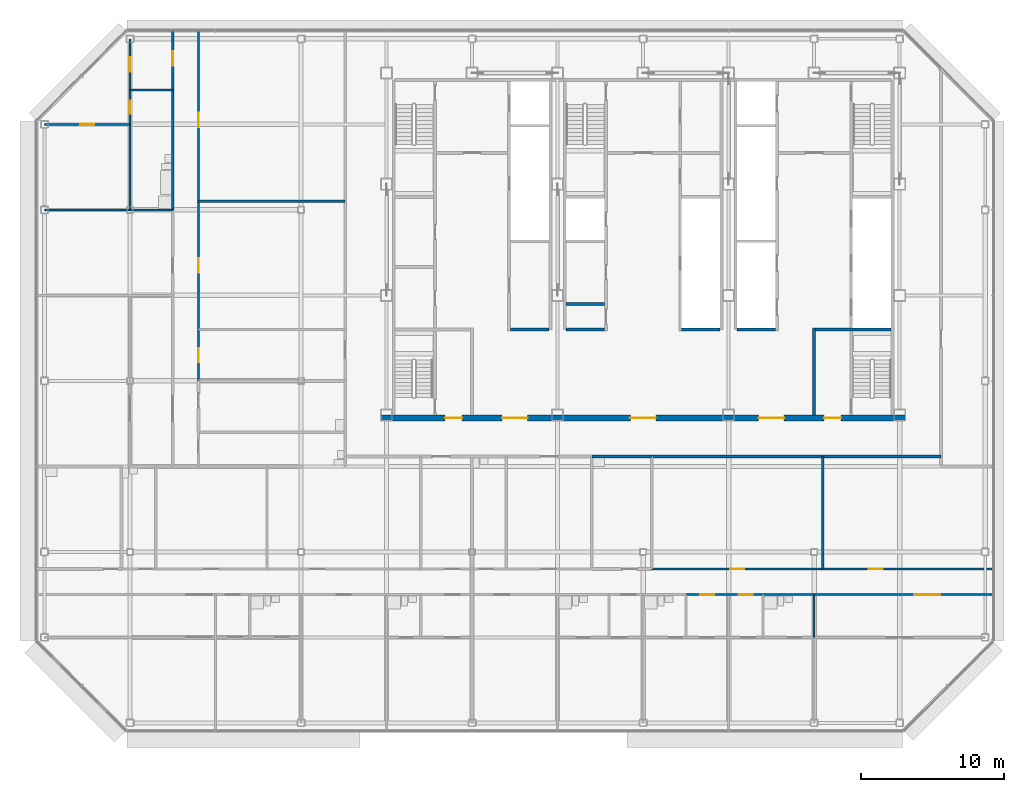
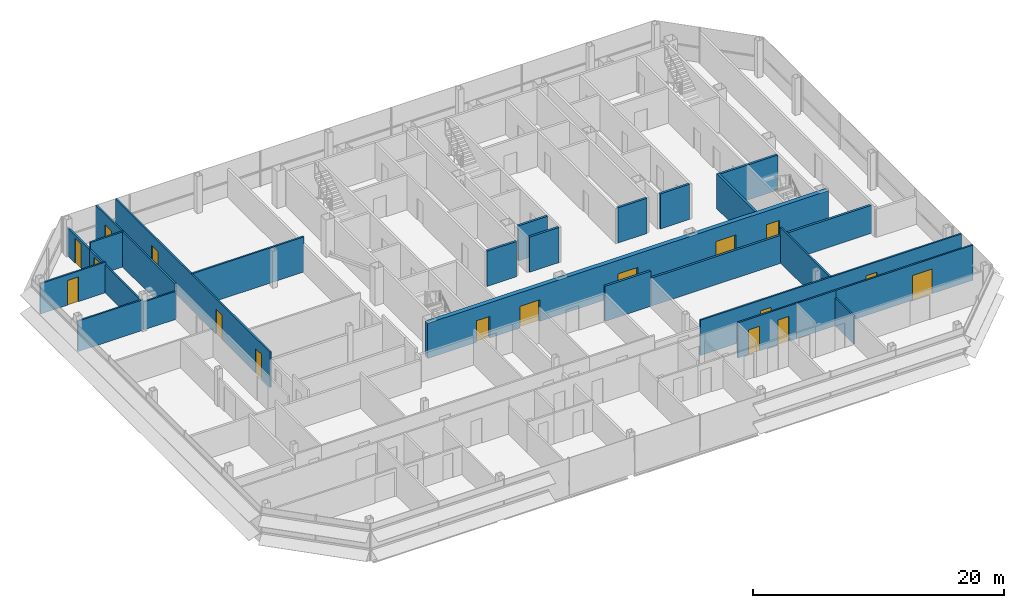
# One storey, part 23 of 28: 26 walls, 17 doors, 17 openings.
"""IFC4 building model written with IfcOpenShell, lengths in metres."""

from ifc_helpers import new_model, si_unit, direction, frame, frame_2d, origin, place, context, subcontext, project, spatial, rectangle, extrude, material, layer, layer_set, type_object, element, fill, save


model = new_model("IFC4")

# Units and contexts
model_context = context("Model", 3, precision=1e-05, world=origin(), true_north=direction((0.0, 1.0)))
body_context = subcontext(model_context, "Body", "Model", "MODEL_VIEW")
ifc_project = project(units=[si_unit("LENGTHUNIT", "METRE"), si_unit("AREAUNIT", "SQUARE_METRE"), si_unit("VOLUMEUNIT", "CUBIC_METRE"), si_unit("PLANEANGLEUNIT", "RADIAN"), si_unit("MASSUNIT", "GRAM", prefix="KILO")], contexts=[model_context])

# Site, building, storey
site_placement = place(None, origin())
site = spatial("IfcSite", under=ifc_project, at=site_placement, CompositionType="ELEMENT")
building_placement = place(site_placement, origin())
building = spatial("IfcBuilding", under=site, at=building_placement, Name="Sorahane Residences", CompositionType="ELEMENT")
storey_placement = place(building_placement, frame((0.0, 0.0, 301.60009765625)))
storey = spatial("IfcBuildingStorey", under=building, at=storey_placement, Name="L71", CompositionType="ELEMENT", Elevation=301.60009765625)

# Walls
ifc_material_1 = material(Name="Concrete blockwork C20 wall", Category="masonry")
ifc_layer_1 = layer(ifc_material_1, 0.199951171875)
ifc_layer_set_1 = layer_set([ifc_layer_1], Name="Corridor wall 200 EI 120")
wall_type_1 = type_object("IfcWallType", Name="Corridor wall 200 EI 120", PredefinedType="SOLIDWALL", material=ifc_layer_set_1)
wall_1_placement = place(storey_placement, frame((24.60009765625, 18.699951171875, 0.0), z_axis=(0.0, 0.0, 1.0), x_axis=(1.0, 0.0, 0.0)))
element("IfcWall", 1, at=wall_1_placement, inside=storey, type_object=wall_type_1, Name="L71 corridor wall", PredefinedType="SOLIDWALL", context=body_context, shape_type="SweptSolid", body=[
    extrude(rectangle(XDim=20.2998046875, YDim=0.199951171875, at=frame_2d((10.14990234375, 0.0))), origin(), (0.0, 0.0, 1.0), 2.719970703125),
])
ifc_material_2 = material(Name="Concrete C30", Category="concrete")
ifc_layer_2 = layer(ifc_material_2, 0.199951171875)
ifc_layer_set_2 = layer_set([ifc_layer_2], Name="Front room wall 200 EI 120")
wall_type_2 = type_object("IfcWallType", Name="Front room wall 200 EI 120", PredefinedType="PARTITIONING", material=ifc_layer_set_2)
wall_2_placement = place(storey_placement, frame((36.0, 21.60009765625, 0.0), z_axis=(0.0, 0.0, 1.0), x_axis=(0.0, 1.0, 0.0)))
element("IfcWall", 2, at=wall_2_placement, inside=storey, type_object=wall_type_2, Name="L71 front room wall", PredefinedType="PARTITIONING", context=body_context, shape_type="SweptSolid", body=[
    extrude(rectangle(XDim=6.099853515625, YDim=0.199951171875, at=frame_2d((3.0498046875, 0.0))), origin(), (0.0, 0.0, 1.0), 3.419921875),
])
ifc_material_3 = material(Name="Concrete blockwork C20 wall", Category="masonry")
ifc_layer_3 = layer(ifc_material_3, 0.199951171875)
ifc_layer_set_3 = layer_set([ifc_layer_3], Name="Kitchen wall 200 EI 180")
wall_type_3 = type_object("IfcWallType", Name="Kitchen wall 200 EI 180", PredefinedType="SOLIDWALL", material=ifc_layer_set_3)
wall_3_placement = place(storey_placement, frame((20.39990234375, 18.699951171875, 0.0), z_axis=(0.0, 0.0, 1.0), x_axis=(1.0, 0.0, 0.0)))
element("IfcWall", 3, at=wall_3_placement, inside=storey, type_object=wall_type_3, Name="L71 kitchen wall", PredefinedType="SOLIDWALL", context=body_context, shape_type="SweptSolid", body=[
    extrude(rectangle(XDim=4.2001953125, YDim=0.199951171875, at=frame_2d((2.10009765625, 0.0))), origin(), (0.0, 0.0, 1.0), 3.419921875),
])
ifc_material_4 = material(Name="Concrete C30", Category="concrete")
ifc_layer_4 = layer(ifc_material_4, 0.199951171875)
ifc_layer_set_4 = layer_set([ifc_layer_4], Name="Lift shaft wall 200 EI 120")
wall_type_4 = type_object("IfcWallType", Name="Lift shaft wall 200 EI 120", PredefinedType="SOLIDWALL", material=ifc_layer_set_4)
wall_4_placement = place(storey_placement, frame((30.60009765625, 27.60009765625, 0.0), z_axis=(0.0, 0.0, 1.0), x_axis=(1.0, 0.0, 0.0)))
element("IfcWall", 4, at=wall_4_placement, inside=storey, type_object=wall_type_4, Name="L71 lift shaft wall", PredefinedType="SOLIDWALL", context=body_context, shape_type="SweptSolid", body=[
    extrude(rectangle(XDim=2.699951171875, YDim=0.199951171875, at=frame_2d((1.35009765625, 0.0))), origin(), (0.0, 0.0, 1.0), 3.419921875),
])

# Wall, opening, door
ifc_material_5 = material(Name="Gypsum board partition on steel studs", Category="steel")
ifc_layer_5 = layer(ifc_material_5, 0.14990234375)
ifc_layer_set_5 = layer_set([ifc_layer_5], Name="Partition 150 EI 90")
wall_type_5 = type_object("IfcWallType", Name="Partition 150 EI 90", PredefinedType="PARTITIONING", material=ifc_layer_set_5)
wall_5_placement = place(storey_placement, frame((-12.0, 44.39990234375, 0.0), z_axis=(0.0, 0.0, 1.0), x_axis=(0.0, 1.0, 0.0)))
wall_5 = element("IfcWall", 5, at=wall_5_placement, inside=storey, type_object=wall_type_5, Name="L71 partition", PredefinedType="PARTITIONING", context=body_context, shape_type="SweptSolid", body=[
    extrude(rectangle(XDim=3.60009765625, YDim=0.14990234375, at=frame_2d((1.800048828125, 0.0))), origin(), (0.0, 0.0, 1.0), 2.719970703125),
])
opening_1_placement = place(wall_5_placement, frame((1.300048828125, 0.0, 0.0)))
opening_1 = element("IfcOpeningElement", 6, at=opening_1_placement, cuts=wall_5, Name="Opening L71-41", PredefinedType="OPENING", context=body_context, shape_type="SweptSolid", body=[
    extrude(rectangle(XDim=1.0, YDim=2.39990234375, at=frame_2d((0.5, 1.199951171875))), frame((0.0, 0.0849609375, 0.0), z_axis=(0.0, -1.0, 0.0), x_axis=(1.0, 0.0, 0.0)), (0.0, 0.0, 1.0), 0.169921875),
])
ifc_material_6 = material(Name="Timber veneered fire door", Category="wood")
door_type_1 = type_object("IfcDoorType", Name="Room door 1000x2400 FD30", OperationType="NOTDEFINED", PredefinedType="DOOR", material=ifc_material_6)
door_1_placement = place(opening_1_placement, origin())
door_1 = element("IfcDoor", 7, at=door_1_placement, inside=storey, type_object=door_type_1, Name="Room door L71-41", OperationType="SINGLE_SWING_LEFT", OverallHeight=2.39990234375, OverallWidth=1.0, PredefinedType="DOOR", context=body_context, shape_type="SweptSolid", body=[
    extrude(rectangle(XDim=1.0, YDim=2.39990234375, at=frame_2d((0.5, 1.199951171875))), frame((0.0, 0.02490234375, 0.0), z_axis=(0.0, -1.0, 0.0), x_axis=(1.0, 0.0, 0.0)), (0.0, 0.0, 1.0), 0.050048828125),
])
fill(opening_1, door_1)

# Wall, openings, doors
wall_6_placement = place(storey_placement, frame((-7.199951171875, 24.0, 0.0), z_axis=(0.0, 0.0, 1.0), x_axis=(0.0, 1.0, 0.0)))
wall_6 = element("IfcWall", 8, at=wall_6_placement, inside=storey, type_object=wall_type_5, Name="L71 partition", PredefinedType="PARTITIONING", context=body_context, shape_type="SweptSolid", body=[
    extrude(rectangle(XDim=24.60009765625, YDim=0.14990234375, at=frame_2d((12.300048828125, 0.0))), origin(), (0.0, 0.0, 1.0), 3.419921875),
])
opening_2_placement = place(wall_6_placement, frame((1.300048828125, 0.0, 0.0)))
opening_2 = element("IfcOpeningElement", 9, at=opening_2_placement, cuts=wall_6, Name="Opening L71-32", PredefinedType="OPENING", context=body_context, shape_type="SweptSolid", body=[
    extrude(rectangle(XDim=1.0, YDim=2.39990234375, at=frame_2d((0.5, 1.199951171875))), frame((0.0, 0.0849609375, 0.0), z_axis=(0.0, -1.0, 0.0), x_axis=(1.0, 0.0, 0.0)), (0.0, 0.0, 1.0), 0.169921875),
])
opening_3_placement = place(wall_6_placement, frame((7.60009765625, 0.0, 0.0)))
opening_3 = element("IfcOpeningElement", 10, at=opening_3_placement, cuts=wall_6, Name="Opening L71-35", PredefinedType="OPENING", context=body_context, shape_type="SweptSolid", body=[
    extrude(rectangle(XDim=1.0, YDim=2.39990234375, at=frame_2d((0.5, 1.199951171875))), frame((0.0, 0.0849609375, 0.0), z_axis=(0.0, -1.0, 0.0), x_axis=(1.0, 0.0, 0.0)), (0.0, 0.0, 1.0), 0.169921875),
])
opening_4_placement = place(wall_6_placement, frame((17.800048828125, 0.0, 0.0)))
opening_4 = element("IfcOpeningElement", 11, at=opening_4_placement, cuts=wall_6, Name="Opening L71-36", PredefinedType="OPENING", context=body_context, shape_type="SweptSolid", body=[
    extrude(rectangle(XDim=1.0, YDim=2.39990234375, at=frame_2d((0.5, 1.199951171875))), frame((0.0, 0.0849609375, 0.0), z_axis=(0.0, -1.0, 0.0), x_axis=(1.0, 0.0, 0.0)), (0.0, 0.0, 1.0), 0.169921875),
])
door_2_placement = place(opening_2_placement, origin())
door_2 = element("IfcDoor", 12, at=door_2_placement, inside=storey, type_object=door_type_1, Name="Room door L71-32", OperationType="SINGLE_SWING_RIGHT", OverallHeight=2.39990234375, OverallWidth=1.0, PredefinedType="DOOR", context=body_context, shape_type="SweptSolid", body=[
    extrude(rectangle(XDim=1.0, YDim=2.39990234375, at=frame_2d((0.5, 1.199951171875))), frame((0.0, 0.02490234375, 0.0), z_axis=(0.0, -1.0, 0.0), x_axis=(1.0, 0.0, 0.0)), (0.0, 0.0, 1.0), 0.050048828125),
])
fill(opening_2, door_2)
door_3_placement = place(opening_3_placement, frame((1.0, 0.0, 0.0), z_axis=(0.0, 0.0, 1.0), x_axis=(-1.0, 0.0, 0.0)))
door_3 = element("IfcDoor", 13, at=door_3_placement, inside=storey, type_object=door_type_1, Name="Room door L71-35", OperationType="SINGLE_SWING_RIGHT", OverallHeight=2.39990234375, OverallWidth=1.0, PredefinedType="DOOR", context=body_context, shape_type="SweptSolid", body=[
    extrude(rectangle(XDim=1.0, YDim=2.39990234375, at=frame_2d((0.5, 1.199951171875))), frame((0.0, 0.02490234375, 0.0), z_axis=(0.0, -1.0, 0.0), x_axis=(1.0, 0.0, 0.0)), (0.0, 0.0, 1.0), 0.050048828125),
])
fill(opening_3, door_3)
door_4_placement = place(opening_4_placement, frame((1.0, 0.0, 0.0), z_axis=(0.0, 0.0, 1.0), x_axis=(-1.0, 0.0, 0.0)))
door_4 = element("IfcDoor", 14, at=door_4_placement, inside=storey, type_object=door_type_1, Name="Room door L71-36", OperationType="SINGLE_SWING_LEFT", OverallHeight=2.39990234375, OverallWidth=1.0, PredefinedType="DOOR", context=body_context, shape_type="SweptSolid", body=[
    extrude(rectangle(XDim=1.0, YDim=2.39990234375, at=frame_2d((0.5, 1.199951171875))), frame((0.0, 0.02490234375, 0.0), z_axis=(0.0, -1.0, 0.0), x_axis=(1.0, 0.0, 0.0)), (0.0, 0.0, 1.0), 0.050048828125),
])
fill(opening_4, door_4)

# Wall, opening, door
wall_7_placement = place(storey_placement, frame((-9.0, 44.39990234375, 0.0), z_axis=(0.0, 0.0, 1.0), x_axis=(0.0, 1.0, 0.0)))
wall_7 = element("IfcWall", 15, at=wall_7_placement, inside=storey, type_object=wall_type_5, Name="L71 partition", PredefinedType="PARTITIONING", context=body_context, shape_type="SweptSolid", body=[
    extrude(rectangle(XDim=4.2001953125, YDim=0.14990234375, at=frame_2d((2.10009765625, 0.0))), origin(), (0.0, 0.0, 1.0), 3.419921875),
])
opening_5_placement = place(wall_7_placement, frame((1.719970703125, 0.0, 0.0)))
opening_5 = element("IfcOpeningElement", 16, at=opening_5_placement, cuts=wall_7, Name="Opening L71-39", PredefinedType="OPENING", context=body_context, shape_type="SweptSolid", body=[
    extrude(rectangle(XDim=1.0, YDim=2.39990234375, at=frame_2d((0.5, 1.199951171875))), frame((0.0, 0.0849609375, 0.0), z_axis=(0.0, -1.0, 0.0), x_axis=(1.0, 0.0, 0.0)), (0.0, 0.0, 1.0), 0.169921875),
])
door_5_placement = place(opening_5_placement, origin())
door_5 = element("IfcDoor", 17, at=door_5_placement, inside=storey, type_object=door_type_1, Name="Room door L71-39", OperationType="SINGLE_SWING_RIGHT", OverallHeight=2.39990234375, OverallWidth=1.0, PredefinedType="DOOR", context=body_context, shape_type="SweptSolid", body=[
    extrude(rectangle(XDim=1.0, YDim=2.39990234375, at=frame_2d((0.5, 1.199951171875))), frame((0.0, 0.02490234375, 0.0), z_axis=(0.0, -1.0, 0.0), x_axis=(1.0, 0.0, 0.0)), (0.0, 0.0, 1.0), 0.050048828125),
])
fill(opening_5, door_5)

# Wall
wall_8_placement = place(storey_placement, frame((36.60009765625, 10.800048828125, 0.0), z_axis=(0.0, 0.0, 1.0), x_axis=(0.0, 1.0, 0.0)))
element("IfcWall", 18, at=wall_8_placement, inside=storey, type_object=wall_type_5, Name="L71 partition", PredefinedType="PARTITIONING", context=body_context, shape_type="SweptSolid", body=[
    extrude(rectangle(XDim=7.89990234375, YDim=0.14990234375, at=frame_2d((3.949951171875, 0.0))), origin(), (0.0, 0.0, 1.0), 3.419921875),
])

# Wall, openings, doors
wall_9_placement = place(storey_placement, frame((24.60009765625, 10.800048828125, 0.0), z_axis=(0.0, 0.0, 1.0), x_axis=(1.0, 0.0, 0.0)))
wall_9 = element("IfcWall", 19, at=wall_9_placement, inside=storey, type_object=wall_type_5, Name="L71 partition", PredefinedType="PARTITIONING", context=body_context, shape_type="SweptSolid", body=[
    extrude(rectangle(XDim=24.0, YDim=0.14990234375, at=frame_2d((12.0, 0.0))), origin(), (0.0, 0.0, 1.0), 3.419921875),
])
opening_6_placement = place(wall_9_placement, frame((5.5, 0.0, 0.0)))
opening_6 = element("IfcOpeningElement", 20, at=opening_6_placement, cuts=wall_9, Name="Opening L71-18", PredefinedType="OPENING", context=body_context, shape_type="SweptSolid", body=[
    extrude(rectangle(XDim=1.0, YDim=2.39990234375, at=frame_2d((0.5, 1.199951171875))), frame((0.0, 0.0849609375, 0.0), z_axis=(0.0, -1.0, 0.0), x_axis=(1.0, 0.0, 0.0)), (0.0, 0.0, 1.0), 0.169921875),
])
opening_7_placement = place(wall_9_placement, frame((15.219970703125, 0.0, 0.0)))
opening_7 = element("IfcOpeningElement", 21, at=opening_7_placement, cuts=wall_9, Name="Opening L71-19", PredefinedType="OPENING", context=body_context, shape_type="SweptSolid", body=[
    extrude(rectangle(XDim=1.0, YDim=2.39990234375, at=frame_2d((0.5, 1.199951171875))), frame((0.0, 0.0849609375, 0.0), z_axis=(0.0, -1.0, 0.0), x_axis=(1.0, 0.0, 0.0)), (0.0, 0.0, 1.0), 0.169921875),
])
door_6_placement = place(opening_6_placement, origin())
door_6 = element("IfcDoor", 22, at=door_6_placement, inside=storey, type_object=door_type_1, Name="Room door L71-18", OperationType="SINGLE_SWING_RIGHT", OverallHeight=2.39990234375, OverallWidth=1.0, PredefinedType="DOOR", context=body_context, shape_type="SweptSolid", body=[
    extrude(rectangle(XDim=1.0, YDim=2.39990234375, at=frame_2d((0.5, 1.199951171875))), frame((0.0, 0.02490234375, 0.0), z_axis=(0.0, -1.0, 0.0), x_axis=(1.0, 0.0, 0.0)), (0.0, 0.0, 1.0), 0.050048828125),
])
fill(opening_6, door_6)
door_7_placement = place(opening_7_placement, origin())
door_7 = element("IfcDoor", 23, at=door_7_placement, inside=storey, type_object=door_type_1, Name="Room door L71-19", OperationType="SINGLE_SWING_RIGHT", OverallHeight=2.39990234375, OverallWidth=1.0, PredefinedType="DOOR", context=body_context, shape_type="SweptSolid", body=[
    extrude(rectangle(XDim=1.0, YDim=2.39990234375, at=frame_2d((0.5, 1.199951171875))), frame((0.0, 0.02490234375, 0.0), z_axis=(0.0, -1.0, 0.0), x_axis=(1.0, 0.0, 0.0)), (0.0, 0.0, 1.0), 0.050048828125),
])
fill(opening_7, door_7)

# Walls
wall_10_placement = place(storey_placement, frame((-18.0, 36.0, 0.0), z_axis=(0.0, 0.0, 1.0), x_axis=(1.0, 0.0, 0.0)))
element("IfcWall", 24, at=wall_10_placement, inside=storey, type_object=wall_type_5, Name="L71 partition", PredefinedType="PARTITIONING", context=body_context, shape_type="SweptSolid", body=[
    extrude(rectangle(XDim=6.0, YDim=0.14990234375, at=frame_2d((3.0, 0.0))), origin(), (0.0, 0.0, 1.0), 2.969970703125),
])
wall_11_placement = place(storey_placement, frame((-7.199951171875, 36.60009765625, 0.0), z_axis=(0.0, 0.0, 1.0), x_axis=(1.0, 0.0, 0.0)))
element("IfcWall", 25, at=wall_11_placement, inside=storey, type_object=wall_type_5, Name="L71 partition", PredefinedType="PARTITIONING", context=body_context, shape_type="SweptSolid", body=[
    extrude(rectangle(XDim=10.300048828125, YDim=0.14990234375, at=frame_2d((5.14990234375, 0.0))), origin(), (0.0, 0.0, 1.0), 3.419921875),
])

# Wall, opening, door
wall_12_placement = place(storey_placement, frame((-18.0, 42.0, 0.0), z_axis=(0.0, 0.0, 1.0), x_axis=(1.0, 0.0, 0.0)))
wall_12 = element("IfcWall", 26, at=wall_12_placement, inside=storey, type_object=wall_type_5, Name="L71 partition", PredefinedType="PARTITIONING", context=body_context, shape_type="SweptSolid", body=[
    extrude(rectangle(XDim=6.0, YDim=0.14990234375, at=frame_2d((3.0, 0.0))), origin(), (0.0, 0.0, 1.0), 2.969970703125),
])
opening_8_placement = place(wall_12_placement, frame((2.5, 0.0, 0.0)))
opening_8 = element("IfcOpeningElement", 27, at=opening_8_placement, cuts=wall_12, Name="Opening L71-42", PredefinedType="OPENING", context=body_context, shape_type="SweptSolid", body=[
    extrude(rectangle(XDim=1.0, YDim=2.39990234375, at=frame_2d((0.5, 1.199951171875))), frame((0.0, 0.0849609375, 0.0), z_axis=(0.0, -1.0, 0.0), x_axis=(1.0, 0.0, 0.0)), (0.0, 0.0, 1.0), 0.169921875),
])
door_8_placement = place(opening_8_placement, frame((1.0, 0.0, 0.0), z_axis=(0.0, 0.0, 1.0), x_axis=(-1.0, 0.0, 0.0)))
door_8 = element("IfcDoor", 28, at=door_8_placement, inside=storey, type_object=door_type_1, Name="Room door L71-42", OperationType="SINGLE_SWING_LEFT", OverallHeight=2.39990234375, OverallWidth=1.0, PredefinedType="DOOR", context=body_context, shape_type="SweptSolid", body=[
    extrude(rectangle(XDim=1.0, YDim=2.39990234375, at=frame_2d((0.5, 1.199951171875))), frame((0.0, 0.02490234375, 0.0), z_axis=(0.0, -1.0, 0.0), x_axis=(1.0, 0.0, 0.0)), (0.0, 0.0, 1.0), 0.050048828125),
])
fill(opening_8, door_8)

# Wall, openings, doors
wall_13_placement = place(storey_placement, frame((27.0, 9.0, 0.0), z_axis=(0.0, 0.0, 1.0), x_axis=(1.0, 0.0, 0.0)))
wall_13 = element("IfcWall", 29, at=wall_13_placement, inside=storey, type_object=wall_type_5, Name="L71 partition", PredefinedType="PARTITIONING", context=body_context, shape_type="SweptSolid", body=[
    extrude(rectangle(XDim=5.39990234375, YDim=0.14990234375, at=frame_2d((2.699951171875, 0.0))), origin(), (0.0, 0.0, 1.0), 3.419921875),
])
opening_9_placement = place(wall_13_placement, frame((1.0, 0.0, 0.0)))
opening_9 = element("IfcOpeningElement", 30, at=opening_9_placement, cuts=wall_13, Name="Opening L71-22", PredefinedType="OPENING", context=body_context, shape_type="SweptSolid", body=[
    extrude(rectangle(XDim=1.0, YDim=2.39990234375, at=frame_2d((0.5, 1.199951171875))), frame((0.0, 0.0849609375, 0.0), z_axis=(0.0, -1.0, 0.0), x_axis=(1.0, 0.0, 0.0)), (0.0, 0.0, 1.0), 0.169921875),
])
opening_10_placement = place(wall_13_placement, frame((3.699951171875, 0.0, 0.0)))
opening_10 = element("IfcOpeningElement", 31, at=opening_10_placement, cuts=wall_13, Name="Opening L71-23", PredefinedType="OPENING", context=body_context, shape_type="SweptSolid", body=[
    extrude(rectangle(XDim=1.0, YDim=2.39990234375, at=frame_2d((0.5, 1.199951171875))), frame((0.0, 0.0849609375, 0.0), z_axis=(0.0, -1.0, 0.0), x_axis=(1.0, 0.0, 0.0)), (0.0, 0.0, 1.0), 0.169921875),
])
door_9_placement = place(opening_9_placement, frame((1.0, 0.0, 0.0), z_axis=(0.0, 0.0, 1.0), x_axis=(-1.0, 0.0, 0.0)))
door_9 = element("IfcDoor", 32, at=door_9_placement, inside=storey, type_object=door_type_1, Name="Room door L71-22", OperationType="SINGLE_SWING_LEFT", OverallHeight=2.39990234375, OverallWidth=1.0, PredefinedType="DOOR", context=body_context, shape_type="SweptSolid", body=[
    extrude(rectangle(XDim=1.0, YDim=2.39990234375, at=frame_2d((0.5, 1.199951171875))), frame((0.0, 0.02490234375, 0.0), z_axis=(0.0, -1.0, 0.0), x_axis=(1.0, 0.0, 0.0)), (0.0, 0.0, 1.0), 0.050048828125),
])
fill(opening_9, door_9)
door_10_placement = place(opening_10_placement, frame((1.0, 0.0, 0.0), z_axis=(0.0, 0.0, 1.0), x_axis=(-1.0, 0.0, 0.0)))
door_10 = element("IfcDoor", 33, at=door_10_placement, inside=storey, type_object=door_type_1, Name="Room door L71-23", OperationType="SINGLE_SWING_LEFT", OverallHeight=2.39990234375, OverallWidth=1.0, PredefinedType="DOOR", context=body_context, shape_type="SweptSolid", body=[
    extrude(rectangle(XDim=1.0, YDim=2.39990234375, at=frame_2d((0.5, 1.199951171875))), frame((0.0, 0.02490234375, 0.0), z_axis=(0.0, -1.0, 0.0), x_axis=(1.0, 0.0, 0.0)), (0.0, 0.0, 1.0), 0.050048828125),
])
fill(opening_10, door_10)

# Wall, opening, door
wall_14_placement = place(storey_placement, frame((36.0, 9.0, 0.0), z_axis=(0.0, 0.0, 1.0), x_axis=(1.0, 0.0, 0.0)))
wall_14 = element("IfcWall", 34, at=wall_14_placement, inside=storey, type_object=wall_type_5, Name="L71 partition", PredefinedType="PARTITIONING", context=body_context, shape_type="SweptSolid", body=[
    extrude(rectangle(XDim=12.60009765625, YDim=0.14990234375, at=frame_2d((6.300048828125, 0.0))), origin(), (0.0, 0.0, 1.0), 3.419921875),
])
opening_11_placement = place(wall_14_placement, frame((7.0400390625, 0.0, 0.0)))
opening_11 = element("IfcOpeningElement", 35, at=opening_11_placement, cuts=wall_14, Name="Opening L71-24", PredefinedType="OPENING", context=body_context, shape_type="SweptSolid", body=[
    extrude(rectangle(XDim=1.800048828125, YDim=2.39990234375, at=frame_2d((0.89990234375, 1.199951171875))), frame((0.0, 0.0849609375, 0.0), z_axis=(0.0, -1.0, 0.0), x_axis=(1.0, 0.0, 0.0)), (0.0, 0.0, 1.0), 0.169921875),
])
ifc_material_7 = material(Name="Timber veneered fire door", Category="wood")
door_type_2 = type_object("IfcDoorType", Name="Double door 1800x2400 FD30", OperationType="NOTDEFINED", PredefinedType="DOOR", material=ifc_material_7)
door_11_placement = place(opening_11_placement, frame((1.800048828125, 0.0, 0.0), z_axis=(0.0, 0.0, 1.0), x_axis=(-1.0, 0.0, 0.0)))
door_11 = element("IfcDoor", 36, at=door_11_placement, inside=storey, type_object=door_type_2, Name="Double door L71-24", OperationType="SINGLE_SWING_LEFT", OverallHeight=2.39990234375, OverallWidth=1.800048828125, PredefinedType="DOOR", context=body_context, shape_type="SweptSolid", body=[
    extrude(rectangle(XDim=1.800048828125, YDim=2.39990234375, at=frame_2d((0.89990234375, 1.199951171875))), frame((0.0, 0.02490234375, 0.0), z_axis=(0.0, -1.0, 0.0), x_axis=(1.0, 0.0, 0.0)), (0.0, 0.0, 1.0), 0.050048828125),
])
fill(opening_11, door_11)

# Walls
ifc_material_8 = material(Name="Concrete C30", Category="concrete")
ifc_layer_6 = layer(ifc_material_8, 0.199951171875)
ifc_layer_set_6 = layer_set([ifc_layer_6], Name="Riser shaft wall 200 EI 120")
wall_type_6 = type_object("IfcWallType", Name="Riser shaft wall 200 EI 120", PredefinedType="SOLIDWALL", material=ifc_layer_set_6)
wall_15_placement = place(storey_placement, frame((26.699951171875, 27.60009765625, 0.0), z_axis=(0.0, 0.0, 1.0), x_axis=(1.0, 0.0, 0.0)))
element("IfcWall", 37, at=wall_15_placement, inside=storey, type_object=wall_type_6, Name="L71 riser wall", PredefinedType="SOLIDWALL", context=body_context, shape_type="SweptSolid", body=[
    extrude(rectangle(XDim=2.699951171875, YDim=0.199951171875, at=frame_2d((1.35009765625, 0.0))), origin(), (0.0, 0.0, 1.0), 3.419921875),
])
ifc_material_9 = material(Name="Concrete C30", Category="concrete")
ifc_layer_7 = layer(ifc_material_9, 0.199951171875)
ifc_layer_set_7 = layer_set([ifc_layer_7], Name="Service room partition 200 EI 60")
wall_type_7 = type_object("IfcWallType", Name="Service room partition 200 EI 60", PredefinedType="PARTITIONING", material=ifc_layer_set_7)
for number, where, z_axis, x_axis, name in (
    (38, (14.699951171875, 27.60009765625, 0.0), (0.0, 0.0, 1.0), (1.0, 0.0, 0.0), "L71 service room wall"),
    (39, (18.60009765625, 27.60009765625, 0.0), (0.0, 0.0, 1.0), (1.0, 0.0, 0.0), "L71 service room wall"),
    (40, (18.60009765625, 29.39990234375, 0.0), (0.0, 0.0, 1.0), (1.0, 0.0, 0.0), "L71 service room wall"),
):
    element("IfcWall", number, at=place(storey_placement, frame(where, z_axis=z_axis, x_axis=x_axis)), inside=storey, type_object=wall_type_7, Name=name, PredefinedType="PARTITIONING", context=body_context, shape_type="SweptSolid", body=[
        extrude(rectangle(XDim=2.699951171875, YDim=0.199951171875, at=frame_2d((1.35009765625, 0.0))), origin(), (0.0, 0.0, 1.0), 3.419921875),
    ])
ifc_material_10 = material(Name="Concrete C30", Category="concrete")
ifc_layer_8 = layer(ifc_material_10, 0.199951171875)
ifc_layer_set_8 = layer_set([ifc_layer_8], Name="Stair enclosure wall 200 EI 120")
wall_type_8 = type_object("IfcWallType", Name="Stair enclosure wall 200 EI 120", PredefinedType="SOLIDWALL", material=ifc_layer_set_8)
wall_16_placement = place(storey_placement, frame((36.10009765625, 27.60009765625, 0.0), z_axis=(0.0, 0.0, 1.0), x_axis=(1.0, 0.0, 0.0)))
element("IfcWall", 41, at=wall_16_placement, inside=storey, type_object=wall_type_8, Name="L71 stair enclosure wall", PredefinedType="SOLIDWALL", context=body_context, shape_type="SweptSolid", body=[
    extrude(rectangle(XDim=5.2998046875, YDim=0.199951171875, at=frame_2d((2.64990234375, 0.0))), origin(), (0.0, 0.0, 1.0), 3.419921875),
])

# Wall, openings, doors
ifc_material_11 = material(Name="Concrete C30", Category="concrete")
ifc_layer_9 = layer(ifc_material_11, 0.39990234375)
ifc_layer_set_9 = layer_set([ifc_layer_9], Name="Waiting hall wall 400 EI 120")
wall_type_9 = type_object("IfcWallType", Name="Waiting hall wall 400 EI 120", PredefinedType="SOLIDWALL", material=ifc_layer_set_9)
wall_17_placement = place(storey_placement, frame((5.60009765625, 21.39990234375, 0.0), z_axis=(0.0, 0.0, 1.0), x_axis=(1.0, 0.0, 0.0)))
wall_17 = element("IfcWall", 42, at=wall_17_placement, inside=storey, type_object=wall_type_9, Name="L71 waiting hall wall", PredefinedType="SOLIDWALL", context=body_context, shape_type="SweptSolid", body=[
    extrude(rectangle(XDim=36.7998046875, YDim=0.39990234375, at=frame_2d((18.39990234375, 0.0))), origin(), (0.0, 0.0, 1.0), 3.419921875),
])
opening_12_placement = place(wall_17_placement, frame((8.5, 0.0, 0.0)))
opening_12 = element("IfcOpeningElement", 43, at=opening_12_placement, cuts=wall_17, Name="Opening L71-C01", PredefinedType="OPENING", context=body_context, shape_type="SweptSolid", body=[
    extrude(rectangle(XDim=1.800048828125, YDim=2.10009765625, at=frame_2d((0.89990234375, 1.050048828125))), frame((0.0, 0.2099609375, 0.0), z_axis=(0.0, -1.0, 0.0), x_axis=(1.0, 0.0, 0.0)), (0.0, 0.0, 1.0), 0.419921875),
])
opening_13_placement = place(wall_17_placement, frame((17.5, 0.0, 0.0)))
opening_13 = element("IfcOpeningElement", 44, at=opening_13_placement, cuts=wall_17, Name="Opening L71-C02", PredefinedType="OPENING", context=body_context, shape_type="SweptSolid", body=[
    extrude(rectangle(XDim=1.800048828125, YDim=2.10009765625, at=frame_2d((0.89990234375, 1.050048828125))), frame((0.0, 0.2099609375, 0.0), z_axis=(0.0, -1.0, 0.0), x_axis=(1.0, 0.0, 0.0)), (0.0, 0.0, 1.0), 0.419921875),
])
opening_14_placement = place(wall_17_placement, frame((26.5, 0.0, 0.0)))
opening_14 = element("IfcOpeningElement", 45, at=opening_14_placement, cuts=wall_17, Name="Opening L71-C03", PredefinedType="OPENING", context=body_context, shape_type="SweptSolid", body=[
    extrude(rectangle(XDim=1.800048828125, YDim=2.10009765625, at=frame_2d((0.89990234375, 1.050048828125))), frame((0.0, 0.2099609375, 0.0), z_axis=(0.0, -1.0, 0.0), x_axis=(1.0, 0.0, 0.0)), (0.0, 0.0, 1.0), 0.419921875),
])
opening_15_placement = place(wall_17_placement, frame((4.5, 0.0, 0.0)))
opening_15 = element("IfcOpeningElement", 46, at=opening_15_placement, cuts=wall_17, Name="Opening L71-C04", PredefinedType="OPENING", context=body_context, shape_type="SweptSolid", body=[
    extrude(rectangle(XDim=1.199951171875, YDim=2.10009765625, at=frame_2d((0.60009765625, 1.050048828125))), frame((0.0, 0.2099609375, 0.0), z_axis=(0.0, -1.0, 0.0), x_axis=(1.0, 0.0, 0.0)), (0.0, 0.0, 1.0), 0.419921875),
])
opening_16_placement = place(wall_17_placement, frame((31.10009765625, 0.0, 0.0)))
opening_16 = element("IfcOpeningElement", 47, at=opening_16_placement, cuts=wall_17, Name="Opening L71-C05", PredefinedType="OPENING", context=body_context, shape_type="SweptSolid", body=[
    extrude(rectangle(XDim=1.199951171875, YDim=2.10009765625, at=frame_2d((0.60009765625, 1.050048828125))), frame((0.0, 0.2099609375, 0.0), z_axis=(0.0, -1.0, 0.0), x_axis=(1.0, 0.0, 0.0)), (0.0, 0.0, 1.0), 0.419921875),
])
ifc_material_12 = material(Name="Steel", Category="steel")
door_type_3 = type_object("IfcDoorType", Name="Stair front room door 1200x2100 FD120", OperationType="NOTDEFINED", PredefinedType="DOOR", material=ifc_material_12)
door_12_placement = place(opening_15_placement, frame((1.199951171875, 0.0, 0.0), z_axis=(0.0, 0.0, 1.0), x_axis=(-1.0, 0.0, 0.0)))
door_12 = element("IfcDoor", 48, at=door_12_placement, inside=storey, type_object=door_type_3, Name="Stair front room door Stair S4 front room L71", OperationType="SINGLE_SWING_LEFT", OverallHeight=2.10009765625, OverallWidth=1.199951171875, PredefinedType="DOOR", context=body_context, shape_type="SweptSolid", body=[
    extrude(rectangle(XDim=1.199951171875, YDim=2.10009765625, at=frame_2d((0.60009765625, 1.050048828125))), frame((0.0, 0.02490234375, 0.0), z_axis=(0.0, -1.0, 0.0), x_axis=(1.0, 0.0, 0.0)), (0.0, 0.0, 1.0), 0.050048828125),
])
fill(opening_15, door_12)
door_13_placement = place(opening_16_placement, frame((1.199951171875, 0.0, 0.0), z_axis=(0.0, 0.0, 1.0), x_axis=(-1.0, 0.0, 0.0)))
door_13 = element("IfcDoor", 49, at=door_13_placement, inside=storey, type_object=door_type_3, Name="Stair front room door Stair S5 front room L71", OperationType="SINGLE_SWING_LEFT", OverallHeight=2.10009765625, OverallWidth=1.199951171875, PredefinedType="DOOR", context=body_context, shape_type="SweptSolid", body=[
    extrude(rectangle(XDim=1.199951171875, YDim=2.10009765625, at=frame_2d((0.60009765625, 1.050048828125))), frame((0.0, 0.02490234375, 0.0), z_axis=(0.0, -1.0, 0.0), x_axis=(1.0, 0.0, 0.0)), (0.0, 0.0, 1.0), 0.050048828125),
])
fill(opening_16, door_13)
ifc_material_13 = material(Name="Steel", Category="steel")
door_type_4 = type_object("IfcDoorType", Name="Waiting hall door 1800x2100 FD60", OperationType="NOTDEFINED", PredefinedType="DOOR", material=ifc_material_13)
door_14_placement = place(opening_12_placement, frame((1.800048828125, 0.0, 0.0), z_axis=(0.0, 0.0, 1.0), x_axis=(-1.0, 0.0, 0.0)))
door_14 = element("IfcDoor", 50, at=door_14_placement, inside=storey, type_object=door_type_4, Name="Waiting hall door Residents' waiting hall L71", OperationType="SINGLE_SWING_LEFT", OverallHeight=2.10009765625, OverallWidth=1.800048828125, PredefinedType="DOOR", context=body_context, shape_type="SweptSolid", body=[
    extrude(rectangle(XDim=1.800048828125, YDim=2.10009765625, at=frame_2d((0.89990234375, 1.050048828125))), frame((0.0, 0.02490234375, 0.0), z_axis=(0.0, -1.0, 0.0), x_axis=(1.0, 0.0, 0.0)), (0.0, 0.0, 1.0), 0.050048828125),
])
fill(opening_12, door_14)
door_15_placement = place(opening_13_placement, frame((1.800048828125, 0.0, 0.0), z_axis=(0.0, 0.0, 1.0), x_axis=(-1.0, 0.0, 0.0)))
door_15 = element("IfcDoor", 51, at=door_15_placement, inside=storey, type_object=door_type_4, Name="Waiting hall door Residents' waiting hall L71", OperationType="SINGLE_SWING_LEFT", OverallHeight=2.10009765625, OverallWidth=1.800048828125, PredefinedType="DOOR", context=body_context, shape_type="SweptSolid", body=[
    extrude(rectangle(XDim=1.800048828125, YDim=2.10009765625, at=frame_2d((0.89990234375, 1.050048828125))), frame((0.0, 0.02490234375, 0.0), z_axis=(0.0, -1.0, 0.0), x_axis=(1.0, 0.0, 0.0)), (0.0, 0.0, 1.0), 0.050048828125),
])
fill(opening_13, door_15)
door_16_placement = place(opening_14_placement, frame((1.800048828125, 0.0, 0.0), z_axis=(0.0, 0.0, 1.0), x_axis=(-1.0, 0.0, 0.0)))
door_16 = element("IfcDoor", 52, at=door_16_placement, inside=storey, type_object=door_type_4, Name="Waiting hall door Residents' waiting hall L71", OperationType="SINGLE_SWING_LEFT", OverallHeight=2.10009765625, OverallWidth=1.800048828125, PredefinedType="DOOR", context=body_context, shape_type="SweptSolid", body=[
    extrude(rectangle(XDim=1.800048828125, YDim=2.10009765625, at=frame_2d((0.89990234375, 1.050048828125))), frame((0.0, 0.02490234375, 0.0), z_axis=(0.0, -1.0, 0.0), x_axis=(1.0, 0.0, 0.0)), (0.0, 0.0, 1.0), 0.050048828125),
])
fill(opening_14, door_16)

# Wall, opening, door
ifc_material_14 = material(Name="Gypsum board partition on steel studs", Category="steel")
ifc_layer_10 = layer(ifc_material_14, 0.14990234375)
ifc_layer_set_10 = layer_set([ifc_layer_10], Name="Wet wall 150 EI 90")
wall_type_10 = type_object("IfcWallType", Name="Wet wall 150 EI 90", PredefinedType="PARTITIONING", material=ifc_layer_set_10)
wall_18_placement = place(storey_placement, frame((-12.0, 36.0, 0.0), z_axis=(0.0, 0.0, 1.0), x_axis=(0.0, 1.0, 0.0)))
wall_18 = element("IfcWall", 53, at=wall_18_placement, inside=storey, type_object=wall_type_10, Name="L71 wet wall", PredefinedType="PARTITIONING", context=body_context, shape_type="SweptSolid", body=[
    extrude(rectangle(XDim=8.39990234375, YDim=0.14990234375, at=frame_2d((4.199951171875, 0.0))), origin(), (0.0, 0.0, 1.0), 2.719970703125),
])
opening_17_placement = place(wall_18_placement, frame((6.75, 0.0, 0.0)))
opening_17 = element("IfcOpeningElement", 54, at=opening_17_placement, cuts=wall_18, Name="Opening L71-43", PredefinedType="OPENING", context=body_context, shape_type="SweptSolid", body=[
    extrude(rectangle(XDim=0.89990234375, YDim=2.39990234375, at=frame_2d((0.449951171875, 1.199951171875))), frame((0.0, 0.0849609375, 0.0), z_axis=(0.0, -1.0, 0.0), x_axis=(1.0, 0.0, 0.0)), (0.0, 0.0, 1.0), 0.169921875),
])
ifc_material_15 = material(Name="Timber veneered fire door", Category="wood")
door_type_5 = type_object("IfcDoorType", Name="Bathroom door 900x2400 FD30", OperationType="NOTDEFINED", PredefinedType="DOOR", material=ifc_material_15)
door_17_placement = place(opening_17_placement, origin())
door_17 = element("IfcDoor", 55, at=door_17_placement, inside=storey, type_object=door_type_5, Name="Bathroom door L71-43", OperationType="SINGLE_SWING_RIGHT", OverallHeight=2.39990234375, OverallWidth=0.89990234375, PredefinedType="DOOR", context=body_context, shape_type="SweptSolid", body=[
    extrude(rectangle(XDim=0.89990234375, YDim=2.39990234375, at=frame_2d((0.449951171875, 1.199951171875))), frame((0.0, 0.02490234375, 0.0), z_axis=(0.0, -1.0, 0.0), x_axis=(1.0, 0.0, 0.0)), (0.0, 0.0, 1.0), 0.050048828125),
])
fill(opening_17, door_17)

# Walls
wall_19_placement = place(storey_placement, frame((-9.0, 36.0, 0.0), z_axis=(0.0, 0.0, 1.0), x_axis=(0.0, 1.0, 0.0)))
element("IfcWall", 56, at=wall_19_placement, inside=storey, type_object=wall_type_10, Name="L71 wet wall", PredefinedType="PARTITIONING", context=body_context, shape_type="SweptSolid", body=[
    extrude(rectangle(XDim=8.39990234375, YDim=0.14990234375, at=frame_2d((4.199951171875, 0.0))), origin(), (0.0, 0.0, 1.0), 3.419921875),
])
for number, where, z_axis, x_axis, name in (
    (57, (36.0, 6.0, 0.0), (0.0, 0.0, 1.0), (0.0, 1.0, 0.0), "L71 wet wall"),
    (58, (-12.0, 36.0, 0.0), (0.0, 0.0, 1.0), (1.0, 0.0, 0.0), "L71 wet wall"),
):
    element("IfcWall", number, at=place(storey_placement, frame(where, z_axis=z_axis, x_axis=x_axis)), inside=storey, type_object=wall_type_10, Name=name, PredefinedType="PARTITIONING", context=body_context, shape_type="SweptSolid", body=[
        extrude(rectangle(XDim=3.0, YDim=0.14990234375, at=frame_2d((1.5, 0.0))), origin(), (0.0, 0.0, 1.0), 2.719970703125),
    ])
wall_20_placement = place(storey_placement, frame((-12.0, 44.39990234375, 0.0), z_axis=(0.0, 0.0, 1.0), x_axis=(1.0, 0.0, 0.0)))
element("IfcWall", 59, at=wall_20_placement, inside=storey, type_object=wall_type_10, Name="L71 wet wall", PredefinedType="PARTITIONING", context=body_context, shape_type="SweptSolid", body=[
    extrude(rectangle(XDim=3.0, YDim=0.14990234375, at=frame_2d((1.5, 0.0))), origin(), (0.0, 0.0, 1.0), 3.419921875),
])
wall_21_placement = place(storey_placement, frame((32.39990234375, 9.0, 0.0), z_axis=(0.0, 0.0, 1.0), x_axis=(1.0, 0.0, 0.0)))
element("IfcWall", 60, at=wall_21_placement, inside=storey, type_object=wall_type_10, Name="L71 wet wall", PredefinedType="PARTITIONING", context=body_context, shape_type="SweptSolid", body=[
    extrude(rectangle(XDim=3.60009765625, YDim=0.14990234375, at=frame_2d((1.800048828125, 0.0))), origin(), (0.0, 0.0, 1.0), 3.419921875),
])

save(model, "model.ifc")
